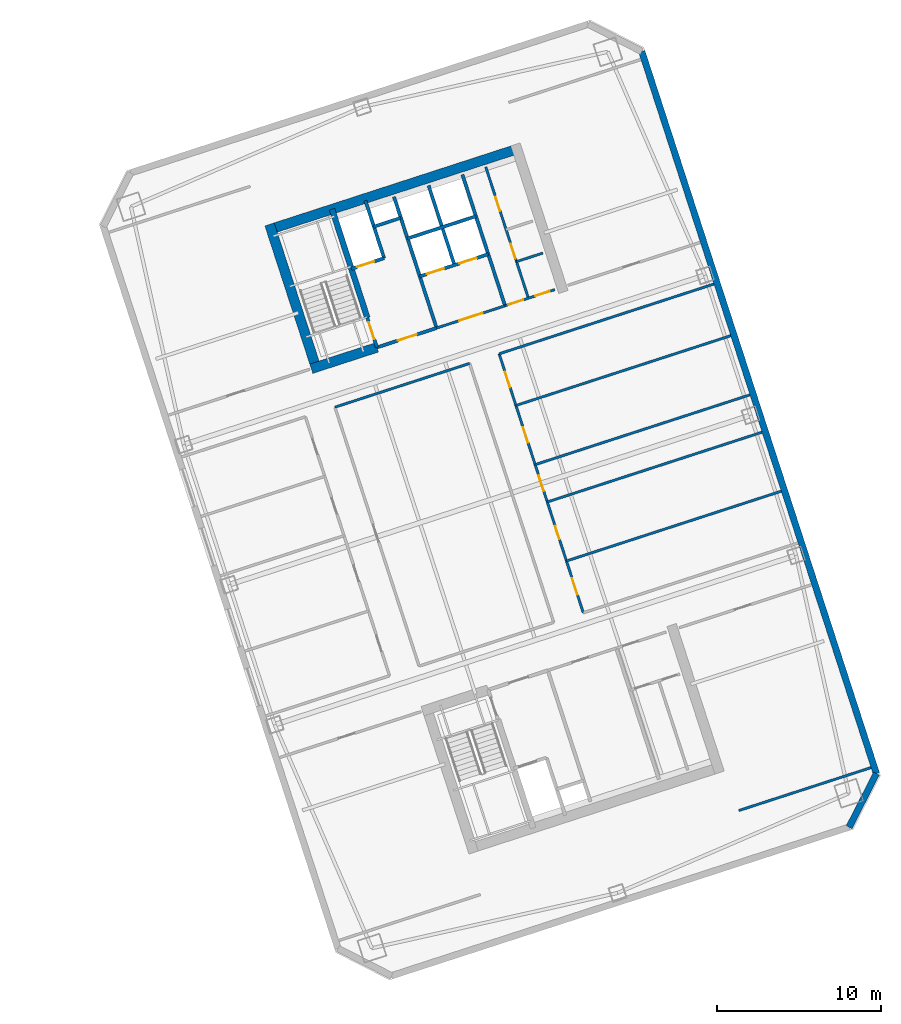
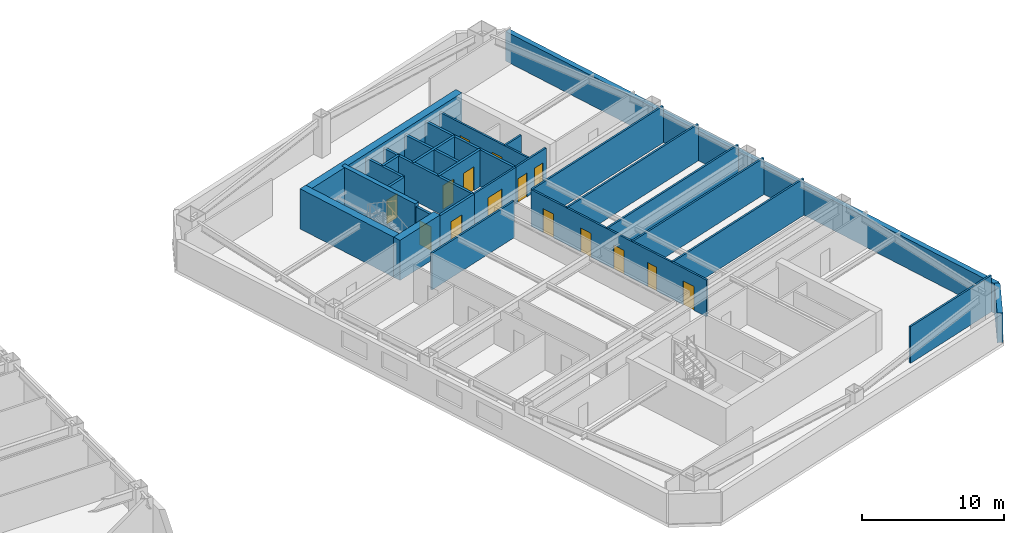
# One storey, part 7 of 11: 28 walls, 15 doors, 15 openings.
"""IFC4 building model written with IfcOpenShell, lengths in metres."""

from ifc_helpers import new_model, si_unit, direction, frame, frame_2d, origin, place, context, subcontext, project, spatial, rectangle, extrude, material, layer, layer_set, type_object, element, fill, save


model = new_model("IFC4")

# Units and contexts
model_context = context("Model", 3, precision=1e-05, world=origin(), true_north=direction((0.0, 1.0)))
body_context = subcontext(model_context, "Body", "Model", "MODEL_VIEW")
ifc_project = project(units=[si_unit("LENGTHUNIT", "METRE"), si_unit("AREAUNIT", "SQUARE_METRE"), si_unit("VOLUMEUNIT", "CUBIC_METRE"), si_unit("PLANEANGLEUNIT", "RADIAN"), si_unit("MASSUNIT", "GRAM", prefix="KILO")], contexts=[model_context])

# Site, building, storey
site_placement = place(None, origin())
site = spatial("IfcSite", under=ifc_project, at=site_placement, CompositionType="ELEMENT")
building_placement = place(site_placement, origin())
building = spatial("IfcBuilding", under=site, at=building_placement, Name="Qiaolan Cultural Towers", CompositionType="ELEMENT")
storey_placement = place(building_placement, frame((0.0, 0.0, 96.60009765625)))
storey = spatial("IfcBuildingStorey", under=building, at=storey_placement, Name="L24", CompositionType="ELEMENT", Elevation=96.60009765625)

# Walls
ifc_material_1 = material(Name="Concrete C50", Category="concrete")
ifc_layer_1 = layer(ifc_material_1, 0.35009765625)
ifc_layer_set_1 = layer_set([ifc_layer_1], Name="Concrete C50")
wall_type_1 = type_object("IfcWallType", Name="WL-CORE-350", PredefinedType="SHEAR", material=ifc_layer_set_1)
wall_1_placement = place(storey_placement, frame((82.513671875, 45.13134765625, 0.0), z_axis=(0.0, 0.0, 1.0), x_axis=(-0.308988790936, 0.951065679686, 0.0)))
element("IfcWall", 1, at=wall_1_placement, inside=storey, type_object=wall_type_1, Name="L24 T2-CN Stair Core Dividing Web", PredefinedType="SHEAR", context=body_context, shape_type="SweptSolid", body=[
    extrude(rectangle(XDim=6.97998046875, YDim=0.35009765625, at=frame_2d((3.489990234375, 0.0))), origin(), (0.0, 0.0, 1.0), 3.449951171875),
])
ifc_material_2 = material(Name="Concrete C55", Category="concrete")
ifc_layer_2 = layer(ifc_material_2, 0.60009765625)
ifc_layer_set_2 = layer_set([ifc_layer_2], Name="Concrete C55")
wall_type_2 = type_object("IfcWallType", Name="WL-CORE-600", PredefinedType="SHEAR", material=ifc_layer_set_2)
wall_2_placement = place(storey_placement, frame((76.343505859375, 50.4658203125, 0.0), z_axis=(0.0, 0.0, 1.0), x_axis=(0.951055727519, 0.309019421968, 0.0)))
element("IfcWall", 2, at=wall_2_placement, inside=storey, type_object=wall_type_2, Name="L24 T2-CN Outer Core Shear Wall", PredefinedType="SHEAR", context=body_context, shape_type="SweptSolid", body=[
    extrude(rectangle(XDim=16.39990234375, YDim=0.60009765625, at=frame_2d((8.199951171875, 0.0))), origin(), (0.0, 0.0, 1.0), 3.449951171875),
])
wall_3_placement = place(storey_placement, frame((79.465576171875, 41.827880859375, 0.0), z_axis=(0.0, 0.0, 1.0), x_axis=(-0.309041232772, 0.951048640421, 0.0)))
element("IfcWall", 3, at=wall_3_placement, inside=storey, type_object=wall_type_2, Name="L24 T2-CN West Core Shear Wall", PredefinedType="SHEAR", context=body_context, shape_type="SweptSolid", body=[
    extrude(rectangle(XDim=9.47998046875, YDim=0.60009765625, at=frame_2d((4.739990234375, 0.0))), origin(), (0.0, 0.0, 1.0), 3.449951171875),
])
wall_4_placement = place(storey_placement, frame((79.08740234375, 42.0205078125, 0.0), z_axis=(0.0, 0.0, 1.0), x_axis=(0.951062550203, 0.3089984233, 0.0)))
element("IfcWall", 4, at=wall_4_placement, inside=storey, type_object=wall_type_2, Name="L24 T2-CN Stair Front Shear Wall", PredefinedType="SHEAR", context=body_context, shape_type="SweptSolid", body=[
    extrude(rectangle(XDim=4.219970703125, YDim=0.60009765625, at=frame_2d((2.10986328125, 0.0))), origin(), (0.0, 0.0, 1.0), 3.449951171875),
])
ifc_material_3 = material(Name="Precast Concrete C50 Honed Stone Pier", Category="masonry")
ifc_layer_3 = layer(ifc_material_3, 0.39990234375)
ifc_layer_set_3 = layer_set([ifc_layer_3], Name="Precast Concrete C50 Honed Stone Pier")
wall_type_3 = type_object("IfcWallType", Name="WL-EXT-PIER-400", PredefinedType="SOLIDWALL", material=ifc_layer_set_3)
wall_5_placement = place(storey_placement, frame((99.2841796875, 61.410400390625, 0.0), z_axis=(0.0, 0.0, 1.0), x_axis=(0.309017542002, -0.95105633836, 0.0)))
element("IfcWall", 5, at=wall_5_placement, inside=storey, type_object=wall_type_3, Name="L24 East Tower Precast Pier Facade Wall F5", PredefinedType="SOLIDWALL", context=body_context, shape_type="SweptSolid", body=[
    extrude(rectangle(XDim=46.39990234375, YDim=0.39990234375, at=frame_2d((23.199951171875, 0.0))), origin(), (0.0, 0.0, 1.0), 2.5498046875),
])
wall_6_placement = place(storey_placement, frame((113.62255859375, 17.281494140625, 0.0), z_axis=(0.0, 0.0, 1.0), x_axis=(-0.454026238093, -0.890988313685, 0.0)))
element("IfcWall", 6, at=wall_6_placement, inside=storey, type_object=wall_type_3, Name="L24 East Tower Precast Pier Facade Wall F6", PredefinedType="SOLIDWALL", context=body_context, shape_type="SweptSolid", body=[
    extrude(rectangle(XDim=3.677001953125, YDim=0.39990234375, at=frame_2d((1.83837890625, 0.0))), origin(), (0.0, 0.0, 1.0), 2.5498046875),
])

# Wall, opening, door
ifc_material_4 = material(Name="Concrete C35 Fire Wall", Category="concrete")
ifc_layer_4 = layer(ifc_material_4, 0.199951171875)
ifc_layer_set_4 = layer_set([ifc_layer_4], Name="Concrete C35 Fire Wall")
wall_type_4 = type_object("IfcWallType", Name="WL-FIRE-200", PredefinedType="PARTITIONING", material=ifc_layer_set_4)
wall_7_placement = place(storey_placement, frame((83.100830078125, 43.324462890625, 0.0), z_axis=(0.0, 0.0, 1.0), x_axis=(-0.309048298632, 0.951046344356, 0.0)))
wall_7 = element("IfcWall", 7, at=wall_7_placement, inside=storey, type_object=wall_type_4, Name="L24 T2-CN Smokeproof Stair Entry Wall", PredefinedType="PARTITIONING", context=body_context, shape_type="SweptSolid", body=[
    extrude(rectangle(XDim=1.89990234375, YDim=0.199951171875, at=frame_2d((0.949951171875, 0.0))), origin(), (0.0, 0.0, 1.0), 3.15478515625),
])
opening_1_placement = place(wall_7_placement, frame((0.52001953125, 0.0, 0.0)))
opening_1 = element("IfcOpeningElement", 8, at=opening_1_placement, cuts=wall_7, Name="Opening FD-04", PredefinedType="OPENING", context=body_context, shape_type="SweptSolid", body=[
    extrude(rectangle(XDim=1.10009765625, YDim=2.050048828125, at=frame_2d((0.550048828125, 1.02490234375))), frame((0.0, 0.10986328125, 0.0), z_axis=(0.0, -1.0, 0.0), x_axis=(1.0, 0.0, 0.0)), (0.0, 0.0, 1.0), 0.219970703125),
])
ifc_material_5 = material(Name="Galvanized Steel Command Fire Door", Category="steel")
door_type_1 = type_object("IfcDoorType", Name="DR-FD90-1100", OperationType="NOTDEFINED", PredefinedType="DOOR", material=ifc_material_5)
door_1_placement = place(opening_1_placement, origin())
door_1 = element("IfcDoor", 9, at=door_1_placement, inside=storey, type_object=door_type_1, Name="L24 ST-E2 Smokeproof Stair Fire Door", OperationType="SINGLE_SWING_LEFT", OverallHeight=2.050048828125, OverallWidth=1.10009765625, PredefinedType="DOOR", context=body_context, shape_type="SweptSolid", body=[
    extrude(rectangle(XDim=1.10009765625, YDim=2.050048828125, at=frame_2d((0.550048828125, 1.02490234375))), frame((0.0, 0.02490234375, 0.0), z_axis=(0.0, -1.0, 0.0), x_axis=(1.0, 0.0, 0.0)), (0.0, 0.0, 1.0), 0.050048828125),
])
fill(opening_1, door_1)

# Wall
wall_8_placement = place(storey_placement, frame((86.743408203125, 44.508056640625, 0.0), z_axis=(0.0, 0.0, 1.0), x_axis=(-0.309016001439, 0.951056838919, 0.0)))
element("IfcWall", 10, at=wall_8_placement, inside=storey, type_object=wall_type_4, Name="L24 T2-CN Firefighting Zone Wall", PredefinedType="PARTITIONING", context=body_context, shape_type="SweptSolid", body=[
    extrude(rectangle(XDim=8.429931640625, YDim=0.199951171875, at=frame_2d((4.21484375, 0.0))), origin(), (0.0, 0.0, 1.0), 3.15478515625),
])

# Wall, opening, door
wall_9_placement = place(storey_placement, frame((83.100830078125, 43.324462890625, 0.0), z_axis=(0.0, 0.0, 1.0), x_axis=(0.951052804469, 0.309028417967, 0.0)))
wall_9 = element("IfcWall", 11, at=wall_9_placement, inside=storey, type_object=wall_type_4, Name="L24 T2-CN Firefighting Lobby Front Wall", PredefinedType="PARTITIONING", context=body_context, shape_type="SweptSolid", body=[
    extrude(rectangle(XDim=3.830078125, YDim=0.199951171875, at=frame_2d((1.9150390625, 0.0))), origin(), (0.0, 0.0, 1.0), 3.15478515625),
])
opening_2_placement = place(wall_9_placement, frame((1.35009765625, 0.0, 0.0)))
opening_2 = element("IfcOpeningElement", 12, at=opening_2_placement, cuts=wall_9, Name="Opening FD-03", PredefinedType="OPENING", context=body_context, shape_type="SweptSolid", body=[
    extrude(rectangle(XDim=1.199951171875, YDim=2.050048828125, at=frame_2d((0.60009765625, 1.02490234375))), frame((0.0, 0.10986328125, 0.0), z_axis=(0.0, -1.0, 0.0), x_axis=(1.0, 0.0, 0.0)), (0.0, 0.0, 1.0), 0.219970703125),
])
ifc_material_6 = material(Name="Galvanized Steel Smokeproof Lobby Fire Door", Category="steel")
door_type_2 = type_object("IfcDoorType", Name="DR-FD90-1200", OperationType="NOTDEFINED", PredefinedType="DOOR", material=ifc_material_6)
door_2_placement = place(opening_2_placement, origin())
door_2 = element("IfcDoor", 13, at=door_2_placement, inside=storey, type_object=door_type_2, Name="L24 FFL-E2 Firefighting Lobby Fire Door", OperationType="SINGLE_SWING_LEFT", OverallHeight=2.050048828125, OverallWidth=1.199951171875, PredefinedType="DOOR", context=body_context, shape_type="SweptSolid", body=[
    extrude(rectangle(XDim=1.199951171875, YDim=2.050048828125, at=frame_2d((0.60009765625, 1.02490234375))), frame((0.0, 0.02490234375, 0.0), z_axis=(0.0, -1.0, 0.0), x_axis=(1.0, 0.0, 0.0)), (0.0, 0.0, 1.0), 0.050048828125),
])
fill(opening_2, door_2)

wall_10_placement = place(storey_placement, frame((81.540283203125, 48.127197265625, 0.0), z_axis=(0.0, 0.0, 1.0), x_axis=(0.951062257173, 0.308999325213, 0.0)))
wall_10 = element("IfcWall", 14, at=wall_10_placement, inside=storey, type_object=wall_type_4, Name="L24 T2-CN Firefighting Shaft Front Wall", PredefinedType="PARTITIONING", context=body_context, shape_type="SweptSolid", body=[
    extrude(rectangle(XDim=2.10009765625, YDim=0.199951171875, at=frame_2d((1.050048828125, 0.0))), origin(), (0.0, 0.0, 1.0), 3.15478515625),
])
opening_3_placement = place(wall_10_placement, frame((0.35009765625, 0.0, 0.0)))
opening_3 = element("IfcOpeningElement", 15, at=opening_3_placement, cuts=wall_10, Name="Opening LD-01", PredefinedType="OPENING", context=body_context, shape_type="SweptSolid", body=[
    extrude(rectangle(XDim=1.10009765625, YDim=2.050048828125, at=frame_2d((0.550048828125, 1.02490234375))), frame((0.0, 0.10986328125, 0.0), z_axis=(0.0, -1.0, 0.0), x_axis=(1.0, 0.0, 0.0)), (0.0, 0.0, 1.0), 0.219970703125),
])
ifc_material_7 = material(Name="Brushed Stainless Steel S30408 Centre-Parting Lift Landing Door", Category="steel")
door_type_3 = type_object("IfcDoorType", Name="DR-LIFT-1100", OperationType="NOTDEFINED", PredefinedType="DOOR", material=ifc_material_7)
door_3_placement = place(opening_3_placement, origin())
door_3 = element("IfcDoor", 16, at=door_3_placement, inside=storey, type_object=door_type_3, Name="L24 FFL-E2 Firefighting Lift Landing Door", OperationType="DOUBLE_DOOR_SLIDING", OverallHeight=2.050048828125, OverallWidth=1.10009765625, PredefinedType="DOOR", context=body_context, shape_type="SweptSolid", body=[
    extrude(rectangle(XDim=1.10009765625, YDim=2.050048828125, at=frame_2d((0.550048828125, 1.02490234375))), frame((0.0, 0.02490234375, 0.0), z_axis=(0.0, -1.0, 0.0), x_axis=(1.0, 0.0, 0.0)), (0.0, 0.0, 1.0), 0.050048828125),
])
fill(opening_3, door_3)

# Walls
wall_11_placement = place(storey_placement, frame((83.53759765625, 48.776123046875, 0.0), z_axis=(0.0, 0.0, 1.0), x_axis=(-0.3089935693, 0.951064127245, 0.0)))
element("IfcWall", 17, at=wall_11_placement, inside=storey, type_object=wall_type_4, Name="L24 T2-CN Firefighting Hoistway East Wall", PredefinedType="PARTITIONING", context=body_context, shape_type="SweptSolid", body=[
    extrude(rectangle(XDim=3.7001953125, YDim=0.199951171875, at=frame_2d((1.85009765625, 0.0))), origin(), (0.0, 0.0, 1.0), 3.15478515625),
])
wall_12_placement = place(storey_placement, frame((82.910400390625, 50.706787109375, 0.0), z_axis=(0.0, 0.0, 1.0), x_axis=(0.951041328149, 0.309063734775, 0.0)))
element("IfcWall", 18, at=wall_12_placement, inside=storey, type_object=wall_type_4, Name="L24 T2-CN Pressurization Shaft Front Wall", PredefinedType="PARTITIONING", context=body_context, shape_type="SweptSolid", body=[
    extrude(rectangle(XDim=1.72998046875, YDim=0.199951171875, at=frame_2d((0.864990234375, 0.0))), origin(), (0.0, 0.0, 1.0), 3.15478515625),
])
wall_13_placement = place(storey_placement, frame((90.92822265625, 45.86767578125, 0.0), z_axis=(0.0, 0.0, 1.0), x_axis=(-0.309042196757, 0.951048327176, 0.0)))
element("IfcWall", 19, at=wall_13_placement, inside=storey, type_object=wall_type_4, Name="L24 T2-CN Lift Core East Wall", PredefinedType="PARTITIONING", context=body_context, shape_type="SweptSolid", body=[
    extrude(rectangle(XDim=8.429931640625, YDim=0.199951171875, at=frame_2d((4.21484375, 0.0))), origin(), (0.0, 0.0, 1.0), 3.15478515625),
])

# Wall, openings, doors
wall_14_placement = place(storey_placement, frame((85.717529296875, 47.66552734375, 0.0), z_axis=(0.0, 0.0, 1.0), x_axis=(0.951058531764, 0.30901079133, 0.0)))
wall_14 = element("IfcWall", 20, at=wall_14_placement, inside=storey, type_object=wall_type_4, Name="L24 T2-CN Passenger Lift Shaft Front Wall", PredefinedType="PARTITIONING", context=body_context, shape_type="SweptSolid", body=[
    extrude(rectangle(XDim=4.39990234375, YDim=0.199951171875, at=frame_2d((2.199951171875, 0.0))), origin(), (0.0, 0.0, 1.0), 3.15478515625),
])
opening_4_placement = place(wall_14_placement, frame((0.449951171875, 0.0, 0.0)))
opening_4 = element("IfcOpeningElement", 21, at=opening_4_placement, cuts=wall_14, Name="Opening LD-01", PredefinedType="OPENING", context=body_context, shape_type="SweptSolid", body=[
    extrude(rectangle(XDim=1.10009765625, YDim=2.050048828125, at=frame_2d((0.550048828125, 1.02490234375))), frame((0.0, 0.10986328125, 0.0), z_axis=(0.0, -1.0, 0.0), x_axis=(1.0, 0.0, 0.0)), (0.0, 0.0, 1.0), 0.219970703125),
])
opening_5_placement = place(wall_14_placement, frame((2.550048828125, 0.0, 0.0)))
opening_5 = element("IfcOpeningElement", 22, at=opening_5_placement, cuts=wall_14, Name="Opening LD-01", PredefinedType="OPENING", context=body_context, shape_type="SweptSolid", body=[
    extrude(rectangle(XDim=1.10009765625, YDim=2.050048828125, at=frame_2d((0.550048828125, 1.02490234375))), frame((0.0, 0.10986328125, 0.0), z_axis=(0.0, -1.0, 0.0), x_axis=(1.0, 0.0, 0.0)), (0.0, 0.0, 1.0), 0.219970703125),
])
door_4_placement = place(opening_4_placement, origin())
door_4 = element("IfcDoor", 23, at=door_4_placement, inside=storey, type_object=door_type_3, Name="L24 Passenger Lift 1 Landing Door", OperationType="DOUBLE_DOOR_SLIDING", OverallHeight=2.050048828125, OverallWidth=1.10009765625, PredefinedType="DOOR", context=body_context, shape_type="SweptSolid", body=[
    extrude(rectangle(XDim=1.10009765625, YDim=2.050048828125, at=frame_2d((0.550048828125, 1.02490234375))), frame((0.0, 0.02490234375, 0.0), z_axis=(0.0, -1.0, 0.0), x_axis=(1.0, 0.0, 0.0)), (0.0, 0.0, 1.0), 0.050048828125),
])
fill(opening_4, door_4)
door_5_placement = place(opening_5_placement, origin())
door_5 = element("IfcDoor", 24, at=door_5_placement, inside=storey, type_object=door_type_3, Name="L24 Passenger Lift 2 Landing Door", OperationType="DOUBLE_DOOR_SLIDING", OverallHeight=2.050048828125, OverallWidth=1.10009765625, PredefinedType="DOOR", context=body_context, shape_type="SweptSolid", body=[
    extrude(rectangle(XDim=1.10009765625, YDim=2.050048828125, at=frame_2d((0.550048828125, 1.02490234375))), frame((0.0, 0.02490234375, 0.0), z_axis=(0.0, -1.0, 0.0), x_axis=(1.0, 0.0, 0.0)), (0.0, 0.0, 1.0), 0.050048828125),
])
fill(opening_5, door_5)

# Walls
wall_15_placement = place(storey_placement, frame((87.83837890625, 48.3544921875, 0.0), z_axis=(0.0, 0.0, 1.0), x_axis=(-0.3090093719, 0.951058992953, 0.0)))
element("IfcWall", 25, at=wall_15_placement, inside=storey, type_object=wall_type_4, Name="L24 T2-CN Lift Shaft Divider Wall", PredefinedType="PARTITIONING", context=body_context, shape_type="SweptSolid", body=[
    extrude(rectangle(XDim=5.110107421875, YDim=0.199951171875, at=frame_2d((2.55517578125, 0.0))), origin(), (0.0, 0.0, 1.0), 3.15478515625),
])
wall_16_placement = place(storey_placement, frame((84.966552734375, 49.9765625, 0.0), z_axis=(0.0, 0.0, 1.0), x_axis=(0.951063829732, 0.308994485023, 0.0)))
element("IfcWall", 26, at=wall_16_placement, inside=storey, type_object=wall_type_4, Name="L24 T2-CN Passenger Lift Shaft Back Wall", PredefinedType="PARTITIONING", context=body_context, shape_type="SweptSolid", body=[
    extrude(rectangle(XDim=4.400146484375, YDim=0.199951171875, at=frame_2d((2.2001953125, 0.0))), origin(), (0.0, 0.0, 1.0), 3.15478515625),
])

# Wall, opening, door
ifc_material_8 = material(Name="Autoclaved Aerated Concrete Block B06", Category="concrete")
ifc_layer_5 = layer(ifc_material_8, 0.14990234375)
ifc_layer_set_5 = layer_set([ifc_layer_5], Name="Autoclaved Aerated Concrete Block B06")
wall_type_5 = type_object("IfcWallType", Name="WL-PART-150", PredefinedType="PARTITIONING", material=ifc_layer_set_5)
wall_17_placement = place(storey_placement, frame((86.743408203125, 44.508056640625, 0.0), z_axis=(0.0, 0.0, 1.0), x_axis=(0.951063829732, 0.308994485023, 0.0)))
wall_17 = element("IfcWall", 27, at=wall_17_placement, inside=storey, type_object=wall_type_5, Name="L24 T2-CN Passenger Lift Lobby Front Wall", PredefinedType="PARTITIONING", context=body_context, shape_type="SweptSolid", body=[
    extrude(rectangle(XDim=4.400146484375, YDim=0.14990234375, at=frame_2d((2.2001953125, 0.0))), origin(), (0.0, 0.0, 1.0), 3.15478515625),
])
opening_6_placement = place(wall_17_placement, frame((1.449951171875, 0.0, 0.0)))
opening_6 = element("IfcOpeningElement", 28, at=opening_6_placement, cuts=wall_17, Name="Opening FD-05", PredefinedType="OPENING", context=body_context, shape_type="SweptSolid", body=[
    extrude(rectangle(XDim=1.5, YDim=2.050048828125, at=frame_2d((0.75, 1.02490234375))), frame((0.0, 0.0849609375, 0.0), z_axis=(0.0, -1.0, 0.0), x_axis=(1.0, 0.0, 0.0)), (0.0, 0.0, 1.0), 0.169921875),
])
ifc_material_9 = material(Name="Painted Steel Lift Lobby Fire Door", Category="steel")
door_type_4 = type_object("IfcDoorType", Name="DR-FD60-1500", OperationType="NOTDEFINED", PredefinedType="DOOR", material=ifc_material_9)
door_6_placement = place(opening_6_placement, origin())
door_6 = element("IfcDoor", 29, at=door_6_placement, inside=storey, type_object=door_type_4, Name="L24 Passenger Lift Lobby Entrance", OperationType="SINGLE_SWING_LEFT", OverallHeight=2.050048828125, OverallWidth=1.5, PredefinedType="DOOR", context=body_context, shape_type="SweptSolid", body=[
    extrude(rectangle(XDim=1.5, YDim=2.050048828125, at=frame_2d((0.75, 1.02490234375))), frame((0.0, 0.02490234375, 0.0), z_axis=(0.0, -1.0, 0.0), x_axis=(1.0, 0.0, 0.0)), (0.0, 0.0, 1.0), 0.050048828125),
])
fill(opening_6, door_6)

# Wall, openings, doors
wall_18_placement = place(storey_placement, frame((90.92822265625, 45.86767578125, 0.0), z_axis=(0.0, 0.0, 1.0), x_axis=(0.951059297078, 0.309008435874, 0.0)))
wall_18 = element("IfcWall", 30, at=wall_18_placement, inside=storey, type_object=wall_type_5, Name="L24 T2-CN Sanitary Core Front Wall", PredefinedType="PARTITIONING", context=body_context, shape_type="SweptSolid", body=[
    extrude(rectangle(XDim=3.19970703125, YDim=0.14990234375, at=frame_2d((1.599853515625, 0.0))), origin(), (0.0, 0.0, 1.0), 3.15478515625),
])
opening_7_placement = place(wall_18_placement, frame((0.219970703125, 0.0, 0.0)))
opening_7 = element("IfcOpeningElement", 31, at=opening_7_placement, cuts=wall_18, Name="Opening ID-05", PredefinedType="OPENING", context=body_context, shape_type="SweptSolid", body=[
    extrude(rectangle(XDim=0.949951171875, YDim=2.050048828125, at=frame_2d((0.47509765625, 1.02490234375))), frame((0.0, 0.0849609375, 0.0), z_axis=(0.0, -1.0, 0.0), x_axis=(1.0, 0.0, 0.0)), (0.0, 0.0, 1.0), 0.169921875),
])
opening_8_placement = place(wall_18_placement, frame((1.949951171875, 0.0, 0.0)))
opening_8 = element("IfcOpeningElement", 32, at=opening_8_placement, cuts=wall_18, Name="Opening ID-06", PredefinedType="OPENING", context=body_context, shape_type="SweptSolid", body=[
    extrude(rectangle(XDim=0.89990234375, YDim=2.050048828125, at=frame_2d((0.449951171875, 1.02490234375))), frame((0.0, 0.0849609375, 0.0), z_axis=(0.0, -1.0, 0.0), x_axis=(1.0, 0.0, 0.0)), (0.0, 0.0, 1.0), 0.169921875),
])
ifc_material_10 = material(Name="Fire-Rated Laminate Core Service Door", Category="timber")
door_type_5 = type_object("IfcDoorType", Name="DR-INT-900", OperationType="NOTDEFINED", PredefinedType="DOOR", material=ifc_material_10)
door_7_placement = place(opening_8_placement, origin())
door_7 = element("IfcDoor", 33, at=door_7_placement, inside=storey, type_object=door_type_5, Name="L24 Core Tea Pantry Door", OperationType="SINGLE_SWING_RIGHT", OverallHeight=2.050048828125, OverallWidth=0.89990234375, PredefinedType="DOOR", context=body_context, shape_type="SweptSolid", body=[
    extrude(rectangle(XDim=0.89990234375, YDim=2.050048828125, at=frame_2d((0.449951171875, 1.02490234375))), frame((0.0, 0.02490234375, 0.0), z_axis=(0.0, -1.0, 0.0), x_axis=(1.0, 0.0, 0.0)), (0.0, 0.0, 1.0), 0.050048828125),
])
fill(opening_8, door_7)
ifc_material_11 = material(Name="Fire-Rated Laminate Accessible Core Door", Category="timber")
door_type_6 = type_object("IfcDoorType", Name="DR-INT-950", OperationType="NOTDEFINED", PredefinedType="DOOR", material=ifc_material_11)
door_8_placement = place(opening_7_placement, origin())
door_8 = element("IfcDoor", 34, at=door_8_placement, inside=storey, type_object=door_type_6, Name="L24 Sanitary Passage Door", OperationType="SINGLE_SWING_LEFT", OverallHeight=2.050048828125, OverallWidth=0.949951171875, PredefinedType="DOOR", context=body_context, shape_type="SweptSolid", body=[
    extrude(rectangle(XDim=0.949951171875, YDim=2.050048828125, at=frame_2d((0.47509765625, 1.02490234375))), frame((0.0, 0.02490234375, 0.0), z_axis=(0.0, -1.0, 0.0), x_axis=(1.0, 0.0, 0.0)), (0.0, 0.0, 1.0), 0.050048828125),
])
fill(opening_7, door_8)

wall_19_placement = place(storey_placement, frame((92.354736328125, 46.3310546875, 0.0), z_axis=(0.0, 0.0, 1.0), x_axis=(-0.309007490203, 0.951059604335, 0.0)))
wall_19 = element("IfcWall", 35, at=wall_19_placement, inside=storey, type_object=wall_type_5, Name="L24 T2-CN Sanitary Corridor Wall", PredefinedType="PARTITIONING", context=body_context, shape_type="SweptSolid", body=[
    extrude(rectangle(XDim=8.43017578125, YDim=0.14990234375, at=frame_2d((4.215087890625, 0.0))), origin(), (0.0, 0.0, 1.0), 3.15478515625),
])
opening_9_placement = place(wall_19_placement, frame((2.550048828125, 0.0, 0.0)))
opening_9 = element("IfcOpeningElement", 36, at=opening_9_placement, cuts=wall_19, Name="Opening ID-05", PredefinedType="OPENING", context=body_context, shape_type="SweptSolid", body=[
    extrude(rectangle(XDim=0.949951171875, YDim=2.050048828125, at=frame_2d((0.47509765625, 1.02490234375))), frame((0.0, 0.0849609375, 0.0), z_axis=(0.0, -1.0, 0.0), x_axis=(1.0, 0.0, 0.0)), (0.0, 0.0, 1.0), 0.169921875),
])
opening_10_placement = place(wall_19_placement, frame((5.60009765625, 0.0, 0.0)))
opening_10 = element("IfcOpeningElement", 37, at=opening_10_placement, cuts=wall_19, Name="Opening ID-06", PredefinedType="OPENING", context=body_context, shape_type="SweptSolid", body=[
    extrude(rectangle(XDim=0.89990234375, YDim=2.050048828125, at=frame_2d((0.449951171875, 1.02490234375))), frame((0.0, 0.0849609375, 0.0), z_axis=(0.0, -1.0, 0.0), x_axis=(1.0, 0.0, 0.0)), (0.0, 0.0, 1.0), 0.169921875),
])
door_9_placement = place(opening_10_placement, origin())
door_9 = element("IfcDoor", 38, at=door_9_placement, inside=storey, type_object=door_type_5, Name="L24 Staff Restroom Door", OperationType="SINGLE_SWING_RIGHT", OverallHeight=2.050048828125, OverallWidth=0.89990234375, PredefinedType="DOOR", context=body_context, shape_type="SweptSolid", body=[
    extrude(rectangle(XDim=0.89990234375, YDim=2.050048828125, at=frame_2d((0.449951171875, 1.02490234375))), frame((0.0, 0.02490234375, 0.0), z_axis=(0.0, -1.0, 0.0), x_axis=(1.0, 0.0, 0.0)), (0.0, 0.0, 1.0), 0.050048828125),
])
fill(opening_10, door_9)
door_10_placement = place(opening_9_placement, origin())
door_10 = element("IfcDoor", 39, at=door_10_placement, inside=storey, type_object=door_type_6, Name="L24 Accessible Washroom Door", OperationType="SINGLE_SWING_LEFT", OverallHeight=2.050048828125, OverallWidth=0.949951171875, PredefinedType="DOOR", context=body_context, shape_type="SweptSolid", body=[
    extrude(rectangle(XDim=0.949951171875, YDim=2.050048828125, at=frame_2d((0.47509765625, 1.02490234375))), frame((0.0, 0.02490234375, 0.0), z_axis=(0.0, -1.0, 0.0), x_axis=(1.0, 0.0, 0.0)), (0.0, 0.0, 1.0), 0.050048828125),
])
fill(opening_9, door_10)

# Walls
wall_20_placement = place(storey_placement, frame((91.62841796875, 48.566162109375, 0.0), z_axis=(0.0, 0.0, 1.0), x_axis=(0.951054116971, 0.309024378638, 0.0)))
element("IfcWall", 40, at=wall_20_placement, inside=storey, type_object=wall_type_5, Name="L24 T2-CN Core Pantry Wall", PredefinedType="PARTITIONING", context=body_context, shape_type="SweptSolid", body=[
    extrude(rectangle(XDim=1.7001953125, YDim=0.14990234375, at=frame_2d((0.85009765625, 0.0))), origin(), (0.0, 0.0, 1.0), 3.15478515625),
])
wall_21_placement = place(storey_placement, frame((105.209228515625, 15.02099609375, 0.0), z_axis=(0.0, 0.0, 1.0), x_axis=(0.951054329824, 0.309023723562, 0.0)))
element("IfcWall", 41, at=wall_21_placement, inside=storey, type_object=wall_type_5, Name="L24 T2 Flank Wall FLK-SE", PredefinedType="PARTITIONING", context=body_context, shape_type="SweptSolid", body=[
    extrude(rectangle(XDim=8.5, YDim=0.14990234375, at=frame_2d((4.25, 0.0))), origin(), (0.0, 0.0, 1.0), 3.15478515625),
])
wall_22_placement = place(storey_placement, frame((80.533935546875, 39.67236328125, 0.0), z_axis=(0.0, 0.0, 1.0), x_axis=(0.951052319652, 0.309029910015, 0.0)))
element("IfcWall", 42, at=wall_22_placement, inside=storey, type_object=wall_type_5, Name="L24 T2 Interior Wall", PredefinedType="PARTITIONING", context=body_context, shape_type="SweptSolid", body=[
    extrude(rectangle(XDim=8.64990234375, YDim=0.14990234375, at=frame_2d((4.324951171875, 0.0))), origin(), (0.0, 0.0, 1.0), 3.15478515625),
])
wall_23_placement = place(storey_placement, frame((90.5673828125, 42.9326171875, 0.0), z_axis=(0.0, 0.0, 1.0), x_axis=(0.951058377365, 0.309011266531, 0.0)))
element("IfcWall", 43, at=wall_23_placement, inside=storey, type_object=wall_type_5, Name="L24 T2 Interior Wall", PredefinedType="PARTITIONING", context=body_context, shape_type="SweptSolid", body=[
    extrude(rectangle(XDim=13.800048828125, YDim=0.14990234375, at=frame_2d((6.89990234375, 0.0))), origin(), (0.0, 0.0, 1.0), 3.15478515625),
])

# Wall, openings, doors
wall_24_placement = place(storey_placement, frame((95.70947265625, 27.10693359375, 0.0), z_axis=(0.0, 0.0, 1.0), x_axis=(-0.30901773025, 0.951056277195, 0.0)))
wall_24 = element("IfcWall", 44, at=wall_24_placement, inside=storey, type_object=wall_type_5, Name="L24 T2 Interior Wall", PredefinedType="PARTITIONING", context=body_context, shape_type="SweptSolid", body=[
    extrude(rectangle(XDim=16.64013671875, YDim=0.14990234375, at=frame_2d((8.320068359375, 0.0))), origin(), (0.0, 0.0, 1.0), 3.15478515625),
])
opening_11_placement = place(wall_24_placement, frame((1.1640625, 0.0, 0.0)))
opening_11 = element("IfcOpeningElement", 45, at=opening_11_placement, cuts=wall_24, Name="Opening ID-07", PredefinedType="OPENING", context=body_context, shape_type="SweptSolid", body=[
    extrude(rectangle(XDim=1.050048828125, YDim=2.050048828125, at=frame_2d((0.52490234375, 1.02490234375))), frame((0.0, 0.0849609375, 0.0), z_axis=(0.0, -1.0, 0.0), x_axis=(1.0, 0.0, 0.0)), (0.0, 0.0, 1.0), 0.169921875),
])
opening_12_placement = place(wall_24_placement, frame((4.72412109375, 0.0, 0.0)))
opening_12 = element("IfcOpeningElement", 46, at=opening_12_placement, cuts=wall_24, Name="Opening ID-09", PredefinedType="OPENING", context=body_context, shape_type="SweptSolid", body=[
    extrude(rectangle(XDim=0.85009765625, YDim=2.050048828125, at=frame_2d((0.425048828125, 1.02490234375))), frame((0.0, 0.0849609375, 0.0), z_axis=(0.0, -1.0, 0.0), x_axis=(1.0, 0.0, 0.0)), (0.0, 0.0, 1.0), 0.169921875),
])
opening_13_placement = place(wall_24_placement, frame((7.820068359375, 0.0, 0.0)))
opening_13 = element("IfcOpeningElement", 47, at=opening_13_placement, cuts=wall_24, Name="Opening ID-04", PredefinedType="OPENING", context=body_context, shape_type="SweptSolid", body=[
    extrude(rectangle(XDim=1.0, YDim=2.050048828125, at=frame_2d((0.5, 1.02490234375))), frame((0.0, 0.0849609375, 0.0), z_axis=(0.0, -1.0, 0.0), x_axis=(1.0, 0.0, 0.0)), (0.0, 0.0, 1.0), 0.169921875),
])
opening_14_placement = place(wall_24_placement, frame((10.919921875, 0.0, 0.0)))
opening_14 = element("IfcOpeningElement", 48, at=opening_14_placement, cuts=wall_24, Name="Opening ID-04", PredefinedType="OPENING", context=body_context, shape_type="SweptSolid", body=[
    extrude(rectangle(XDim=1.0, YDim=2.050048828125, at=frame_2d((0.5, 1.02490234375))), frame((0.0, 0.0849609375, 0.0), z_axis=(0.0, -1.0, 0.0), x_axis=(1.0, 0.0, 0.0)), (0.0, 0.0, 1.0), 0.169921875),
])
opening_15_placement = place(wall_24_placement, frame((14.47998046875, 0.0, 0.0)))
opening_15 = element("IfcOpeningElement", 49, at=opening_15_placement, cuts=wall_24, Name="Opening ID-04", PredefinedType="OPENING", context=body_context, shape_type="SweptSolid", body=[
    extrude(rectangle(XDim=1.0, YDim=2.050048828125, at=frame_2d((0.5, 1.02490234375))), frame((0.0, 0.0849609375, 0.0), z_axis=(0.0, -1.0, 0.0), x_axis=(1.0, 0.0, 0.0)), (0.0, 0.0, 1.0), 0.169921875),
])
ifc_material_12 = material(Name="Oak Veneer Acoustic Office Door", Category="timber")
door_type_7 = type_object("IfcDoorType", Name="DR-INT-1000", OperationType="NOTDEFINED", PredefinedType="DOOR", material=ifc_material_12)
door_11_placement = place(opening_13_placement, origin())
door_11 = element("IfcDoor", 50, at=door_11_placement, inside=storey, type_object=door_type_7, Name="L24 T2 Colloquium Room Door", OperationType="SINGLE_SWING_RIGHT", OverallHeight=2.050048828125, OverallWidth=1.0, PredefinedType="DOOR", context=body_context, shape_type="SweptSolid", body=[
    extrude(rectangle(XDim=1.0, YDim=2.050048828125, at=frame_2d((0.5, 1.02490234375))), frame((0.0, 0.02490234375, 0.0), z_axis=(0.0, -1.0, 0.0), x_axis=(1.0, 0.0, 0.0)), (0.0, 0.0, 1.0), 0.050048828125),
])
fill(opening_13, door_11)
door_12_placement = place(opening_14_placement, origin())
door_12 = element("IfcDoor", 51, at=door_12_placement, inside=storey, type_object=door_type_7, Name="L24 T2 Tea Kitchen Door", OperationType="SINGLE_SWING_LEFT", OverallHeight=2.050048828125, OverallWidth=1.0, PredefinedType="DOOR", context=body_context, shape_type="SweptSolid", body=[
    extrude(rectangle(XDim=1.0, YDim=2.050048828125, at=frame_2d((0.5, 1.02490234375))), frame((0.0, 0.02490234375, 0.0), z_axis=(0.0, -1.0, 0.0), x_axis=(1.0, 0.0, 0.0)), (0.0, 0.0, 1.0), 0.050048828125),
])
fill(opening_14, door_12)
door_13_placement = place(opening_15_placement, origin())
door_13 = element("IfcDoor", 52, at=door_13_placement, inside=storey, type_object=door_type_7, Name="L24 T2 Scholar Lounge Door", OperationType="SINGLE_SWING_RIGHT", OverallHeight=2.050048828125, OverallWidth=1.0, PredefinedType="DOOR", context=body_context, shape_type="SweptSolid", body=[
    extrude(rectangle(XDim=1.0, YDim=2.050048828125, at=frame_2d((0.5, 1.02490234375))), frame((0.0, 0.02490234375, 0.0), z_axis=(0.0, -1.0, 0.0), x_axis=(1.0, 0.0, 0.0)), (0.0, 0.0, 1.0), 0.050048828125),
])
fill(opening_15, door_13)
ifc_material_13 = material(Name="Oak Veneer Consultation Door", Category="timber")
door_type_8 = type_object("IfcDoorType", Name="DR-INT-1050", OperationType="NOTDEFINED", PredefinedType="DOOR", material=ifc_material_13)
door_14_placement = place(opening_11_placement, origin())
door_14 = element("IfcDoor", 53, at=door_14_placement, inside=storey, type_object=door_type_8, Name="L24 T2 Archival Research Office Door", OperationType="SINGLE_SWING_RIGHT", OverallHeight=2.050048828125, OverallWidth=1.050048828125, PredefinedType="DOOR", context=body_context, shape_type="SweptSolid", body=[
    extrude(rectangle(XDim=1.050048828125, YDim=2.050048828125, at=frame_2d((0.52490234375, 1.02490234375))), frame((0.0, 0.02490234375, 0.0), z_axis=(0.0, -1.0, 0.0), x_axis=(1.0, 0.0, 0.0)), (0.0, 0.0, 1.0), 0.050048828125),
])
fill(opening_11, door_14)
ifc_material_14 = material(Name="Moisture-Resistant Laminate Utility Door", Category="timber")
door_type_9 = type_object("IfcDoorType", Name="DR-INT-850", OperationType="NOTDEFINED", PredefinedType="DOOR", material=ifc_material_14)
door_15_placement = place(opening_12_placement, origin())
door_15 = element("IfcDoor", 54, at=door_15_placement, inside=storey, type_object=door_type_9, Name="L24 T2 Archival Research Office Door", OperationType="SINGLE_SWING_LEFT", OverallHeight=2.050048828125, OverallWidth=0.85009765625, PredefinedType="DOOR", context=body_context, shape_type="SweptSolid", body=[
    extrude(rectangle(XDim=0.85009765625, YDim=2.050048828125, at=frame_2d((0.425048828125, 1.02490234375))), frame((0.0, 0.02490234375, 0.0), z_axis=(0.0, -1.0, 0.0), x_axis=(1.0, 0.0, 0.0)), (0.0, 0.0, 1.0), 0.050048828125),
])
fill(opening_12, door_15)

# Walls
wall_25_placement = place(storey_placement, frame((94.68115234375, 30.27197265625, 0.0), z_axis=(0.0, 0.0, 1.0), x_axis=(0.951051488548, 0.309032467762, 0.0)))
element("IfcWall", 55, at=wall_25_placement, inside=storey, type_object=wall_type_5, Name="L24 T2 Interior Wall", PredefinedType="PARTITIONING", context=body_context, shape_type="SweptSolid", body=[
    extrude(rectangle(XDim=13.800048828125, YDim=0.14990234375, at=frame_2d((6.89990234375, 0.0))), origin(), (0.0, 0.0, 1.0), 3.15478515625),
])
wall_26_placement = place(storey_placement, frame((93.50927734375, 33.87841796875, 0.0), z_axis=(0.0, 0.0, 1.0), x_axis=(0.951056688031, 0.309016465825, 0.0)))
element("IfcWall", 56, at=wall_26_placement, inside=storey, type_object=wall_type_5, Name="L24 T2 Interior Wall", PredefinedType="PARTITIONING", context=body_context, shape_type="SweptSolid", body=[
    extrude(rectangle(XDim=13.7998046875, YDim=0.14990234375, at=frame_2d((6.89990234375, 0.0))), origin(), (0.0, 0.0, 1.0), 3.15478515625),
])
wall_27_placement = place(storey_placement, frame((92.767578125, 36.1611328125, 0.0), z_axis=(0.0, 0.0, 1.0), x_axis=(0.951058377365, 0.309011266531, 0.0)))
element("IfcWall", 57, at=wall_27_placement, inside=storey, type_object=wall_type_5, Name="L24 T2 Interior Wall", PredefinedType="PARTITIONING", context=body_context, shape_type="SweptSolid", body=[
    extrude(rectangle(XDim=13.800048828125, YDim=0.14990234375, at=frame_2d((6.89990234375, 0.0))), origin(), (0.0, 0.0, 1.0), 3.15478515625),
])
wall_28_placement = place(storey_placement, frame((91.593505859375, 39.775146484375, 0.0), z_axis=(0.0, 0.0, 1.0), x_axis=(0.951056688031, 0.309016465825, 0.0)))
element("IfcWall", 58, at=wall_28_placement, inside=storey, type_object=wall_type_5, Name="L24 T2 Interior Wall", PredefinedType="PARTITIONING", context=body_context, shape_type="SweptSolid", body=[
    extrude(rectangle(XDim=13.7998046875, YDim=0.14990234375, at=frame_2d((6.89990234375, 0.0))), origin(), (0.0, 0.0, 1.0), 3.15478515625),
])

save(model, "model.ifc")
